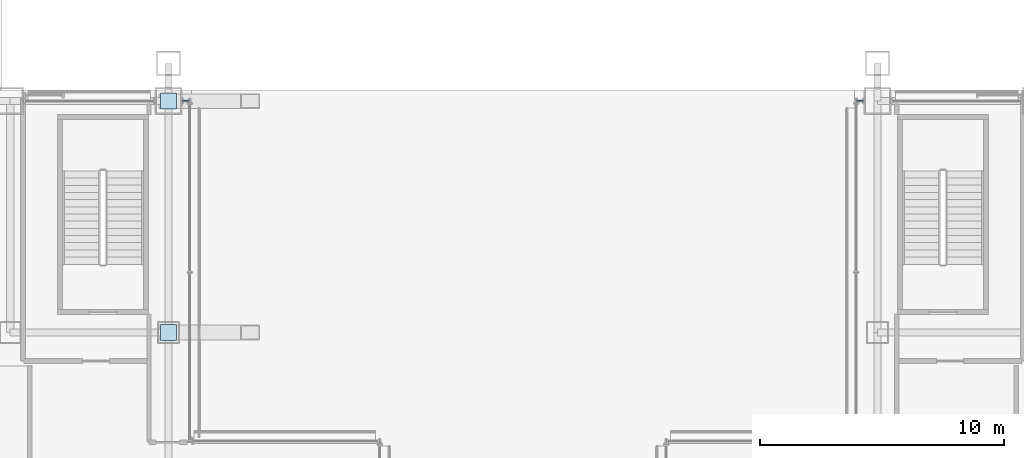
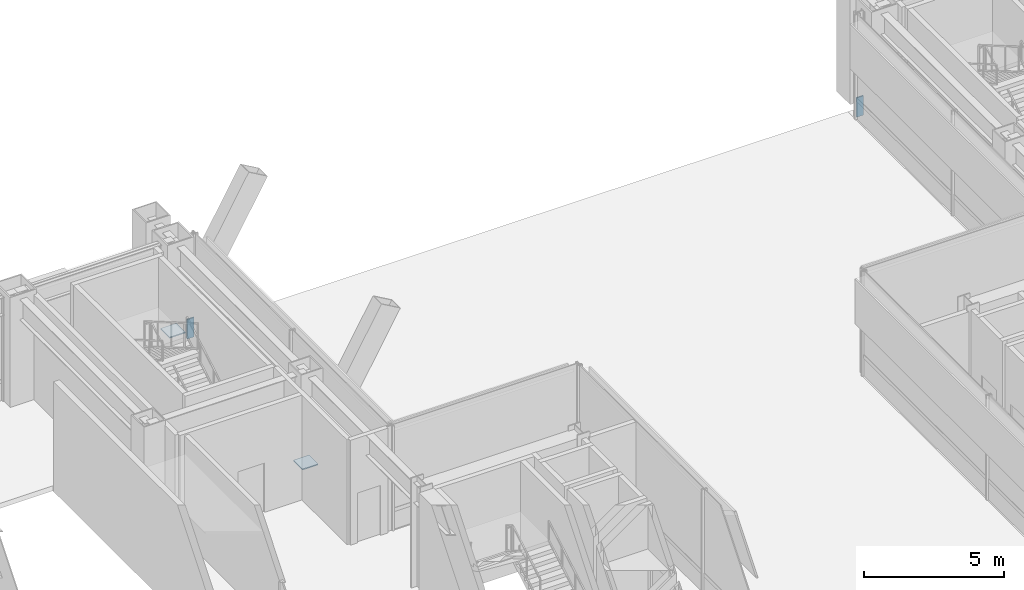
# One storey, part 29 of 37: 4 plates, 2 elements without a shape of their own.
"""IFC4 building model written with IfcOpenShell, lengths in metres."""

import ifcopenshell
import ifcopenshell.guid

model = None  # the IFC model being written
_history = None  # IfcOwnerHistory: only IFC2X3 demands one
_inside = {}  # id of a spatial element -> (the spatial element, [elements in it])
_under = {}  # id of a project, library or spatial element -> (it, [spatial elements below it])
_declared = {}  # id of a project -> (the project, [libraries it declares])
_typed = {}  # id of a type object -> (the type object, [elements of that type])
_made_of = {}  # id of a material, layer set ... -> (it, [elements and type objects made of it])


def new_model(schema):
    """Start an empty IFC model of exactly this schema.

    Asked for "IFC4X3", IfcOpenShell would pick the latest addendum, in which some entities
    have other attributes; the version numbers below select the first issue.
    IFC2X3 requires an IfcOwnerHistory on every rooted entity: one is made here for all.
    """
    global model, _history
    if schema == "IFC4X3":
        model = ifcopenshell.file(schema_version=(4, 3, 0, 0))
    else:
        model = ifcopenshell.file(schema=schema)
    _inside.clear()
    _under.clear()
    _declared.clear()
    _typed.clear()
    _made_of.clear()
    _history = None
    if model.schema == "IFC2X3":
        org = make("IfcOrganization", Name="unknown")
        user = make(
            "IfcPersonAndOrganization",
            ThePerson=make("IfcPerson", FamilyName="unknown"),
            TheOrganization=org,
        )
        app = make(
            "IfcApplication",
            ApplicationDeveloper=org,
            Version="unknown",
            ApplicationFullName="unknown",
            ApplicationIdentifier="unknown",
        )
        _history = make(
            "IfcOwnerHistory",
            OwningUser=user,
            OwningApplication=app,
            ChangeAction="ADDED",
            CreationDate=0,
        )
    return model


def make(cls, **values):
    """One entity of the class cls with the attributes given. An attribute that is None is left unset."""
    return model.create_entity(
        cls, **{name: value for name, value in values.items() if value is not None}
    )


def rooted(cls, **values):
    """An entity with a GlobalId (a new one), such as an element, a storey or a relation."""
    return make(cls, GlobalId=ifcopenshell.guid.new(), OwnerHistory=_history, **values)


def si_unit(unit_type, name, prefix=None):
    """IfcSIUnit, for example si_unit("LENGTHUNIT", "METRE", prefix="MILLI")."""
    return make("IfcSIUnit", UnitType=unit_type, Prefix=prefix, Name=name)


def assignment(units):
    """IfcUnitAssignment: the units of a project."""
    return None if units is None else make("IfcUnitAssignment", Units=units)


def point(xyz):
    """IfcCartesianPoint."""
    return None if xyz is None else make("IfcCartesianPoint", Coordinates=xyz)


def direction(xyz):
    """IfcDirection."""
    return None if xyz is None else make("IfcDirection", DirectionRatios=xyz)


def frame(location, z_axis=None, x_axis=None):
    """IfcAxis2Placement3D, a coordinate frame: its origin and axes. An axis left out is left unset."""
    return make(
        "IfcAxis2Placement3D",
        Location=point(location),
        Axis=direction(z_axis),
        RefDirection=direction(x_axis),
    )


def frame_2d(location, x_axis=None):
    """IfcAxis2Placement2D, a coordinate frame in the plane: its origin and x axis."""
    return make(
        "IfcAxis2Placement2D", Location=point(location), RefDirection=direction(x_axis)
    )


def origin():
    """The frame at (0, 0, 0) with its axes left unset."""
    return frame((0.0, 0.0, 0.0))


def origin_2d():
    """The frame at (0, 0) in the plane with its x axis left unset."""
    return frame_2d((0.0, 0.0))


def place(relative_to, where):
    """IfcLocalPlacement: puts the frame where relative to a parent placement (None: the world)."""
    return make(
        "IfcLocalPlacement", PlacementRelTo=relative_to, RelativePlacement=where
    )


def context(
    kind, dimensions, precision=None, world=None, true_north=None, identifier=None
):
    """IfcGeometricRepresentationContext, for example the 3D "Model" context."""
    return make(
        "IfcGeometricRepresentationContext",
        ContextIdentifier=identifier,
        ContextType=kind,
        CoordinateSpaceDimension=dimensions,
        Precision=precision,
        WorldCoordinateSystem=world,
        TrueNorth=true_north,
    )


def subcontext(parent, identifier, kind, view, scale=None):
    """IfcGeometricRepresentationSubContext, for example "Body" below "Model"."""
    return make(
        "IfcGeometricRepresentationSubContext",
        ContextIdentifier=identifier,
        ContextType=kind,
        ParentContext=parent,
        TargetScale=scale,
        TargetView=view,
    )


def project(units=None, contexts=None):
    """IfcProject with its units and contexts."""
    return rooted(
        "IfcProject",
        Name="project",
        RepresentationContexts=contexts,
        UnitsInContext=assignment(units),
    )


def spatial(cls, under=None, at=None, **own):
    """A site, building, storey or space (cls), placed at a placement, below another one or the project."""
    s = rooted(cls, ObjectPlacement=at, **own)
    if under is not None:
        _under.setdefault(under.id(), (under, []))[1].append(s)
    return s


def profile(cls, at=None, kind="AREA", **sizes):
    """A parametric profile (cls). Its sizes go by their IFC names, for example OverallWidth=200.0."""
    return make(cls, ProfileType=kind, Position=at, **sizes)


def rectangle(**sizes):
    """IfcRectangleProfileDef."""
    return profile("IfcRectangleProfileDef", **sizes)


def extrude(swept, where, along, depth):
    """IfcExtrudedAreaSolid: the profile swept, set in the frame where, extruded along a direction by depth."""
    return make(
        "IfcExtrudedAreaSolid",
        SweptArea=swept,
        Position=where,
        ExtrudedDirection=direction(along),
        Depth=depth,
    )


def shape(context_of_items, identifier, shape_type, items):
    """IfcShapeRepresentation: the items that make up one representation, for example the "Body"."""
    return make(
        "IfcShapeRepresentation",
        ContextOfItems=context_of_items,
        RepresentationIdentifier=identifier,
        RepresentationType=shape_type,
        Items=items,
    )


def material(Name=None, Category=None):
    """IfcMaterial."""
    return make("IfcMaterial", Name=Name, Category=Category)


def layer(
    of_material, thickness, ventilated=None, Name=None, Category=None, Priority=None
):
    """IfcMaterialLayer: one layer of a wall or slab, of a material (None: an air gap)."""
    return make(
        "IfcMaterialLayer",
        Material=of_material,
        LayerThickness=thickness,
        IsVentilated=ventilated,
        Name=Name,
        Category=Category,
        Priority=Priority,
    )


def layer_set(layers, Name=None):
    """IfcMaterialLayerSet."""
    return make("IfcMaterialLayerSet", MaterialLayers=layers, LayerSetName=Name)


def made_of(thing, what):
    """Note that an element or type object is made of a material, layer set ...; save() writes the relation."""
    if what is not None:
        _made_of.setdefault(what.id(), (what, []))[1].append(thing)
    return thing


def type_object(cls, material=None, **own):
    """A type object (cls), such as IfcWallType, which elements share."""
    return made_of(rooted(cls, **own), material)


def element(
    cls,
    number,
    at=None,
    inside=None,
    cuts=None,
    type_object=None,
    material=None,
    context=None,
    identifier="Body",
    shape_type=None,
    held_by="IfcProductDefinitionShape",
    body=None,
    shapes=None,
    **own,
):
    """One element of the class cls, such as IfcWall. Its Tag is "e" and its number.

    at: its placement. inside: the storey or other place that contains it. cuts: it is an
    opening in that element (IfcRelVoidsElement). A single representation is given by context,
    identifier, shape_type and body (its items); several are given by shapes. held_by: the class
    of the entity that holds the representations. save() writes the other relations.
    """
    e = rooted(cls, Tag="e%d" % number, ObjectPlacement=at, **own)
    if body is not None:
        shapes = [shape(context, identifier, shape_type, body)]
    if shapes is not None:
        e.Representation = make(held_by, Representations=shapes)
    if inside is not None:
        _inside.setdefault(inside.id(), (inside, []))[1].append(e)
    if cuts is not None:
        rooted(
            "IfcRelVoidsElement", RelatingBuildingElement=cuts, RelatedOpeningElement=e
        )
    if type_object is not None:
        _typed.setdefault(type_object.id(), (type_object, []))[1].append(e)
    return made_of(e, material)


def aggregate(whole, parts):
    """IfcRelAggregates: a whole, such as a stair, and the parts it consists of."""
    return rooted("IfcRelAggregates", RelatingObject=whole, RelatedObjects=parts)


def save(model, path):
    """Write the relations noted so far, then the file.

    IfcRelAggregates (storeys below a building ...), IfcRelContainedInSpatialStructure (elements
    in a storey), IfcRelDefinesByType, IfcRelAssociatesMaterial and IfcRelDeclares: one each for
    every whole, place, type object, material and project.
    """
    for whole, parts in _under.values():
        aggregate(whole, parts)
    for where, things in _inside.values():
        rooted(
            "IfcRelContainedInSpatialStructure",
            RelatedElements=things,
            RelatingStructure=where,
        )
    for kind, things in _typed.values():
        rooted("IfcRelDefinesByType", RelatedObjects=things, RelatingType=kind)
    for what, things in _made_of.values():
        rooted("IfcRelAssociatesMaterial", RelatedObjects=things, RelatingMaterial=what)
    for by, libraries in _declared.values():
        rooted("IfcRelDeclares", RelatingContext=by, RelatedDefinitions=libraries)
    model.write(path)


model = new_model("IFC4")

# Units and contexts
model_context = context("Model", 3, precision=1e-05, world=origin(), true_north=direction((0.0, 1.0)))
body_context = subcontext(model_context, "Body", "Model", "MODEL_VIEW")
ifc_project = project(units=[si_unit("LENGTHUNIT", "METRE"), si_unit("AREAUNIT", "SQUARE_METRE"), si_unit("VOLUMEUNIT", "CUBIC_METRE"), si_unit("PLANEANGLEUNIT", "RADIAN"), si_unit("MASSUNIT", "GRAM", prefix="KILO")], contexts=[model_context])

# Site, building, storey
site_placement = place(None, origin())
site = spatial("IfcSite", under=ifc_project, at=site_placement, CompositionType="ELEMENT")
building_placement = place(site_placement, origin())
building = spatial("IfcBuilding", under=site, at=building_placement, Name="Brelmoor Portico Tower", CompositionType="ELEMENT")
storey_placement = place(building_placement, origin())
storey = spatial("IfcBuildingStorey", under=building, at=storey_placement, Name="L00", CompositionType="ELEMENT", Elevation=0.0)

# Plates
ifc_material_1 = material(Name="Steel Q355B", Category="steel")
ifc_layer_1 = layer(ifc_material_1, 0.044921875)
ifc_layer_set_1 = layer_set([ifc_layer_1], Name="Steel Q355B")
plate_type_1 = type_object("IfcPlateType", Name="PT-CAP-650", PredefinedType="SHEET", material=ifc_layer_set_1)
for number, where, z_axis, x_axis, name in (
    (1, (-14.550048828125, 18.050048828125, 0.527587890625), (0.0, 0.0, 1.0), (1.0, 0.0, 0.0), "Giant Portico Arch Rib N2-1 Joint Cap Plate 1"),
    (2, (-14.550048828125, 27.550048828125, 0.527587890625), (0.0, 0.0, 1.0), (1.0, 0.0, 0.0), "Giant Portico Arch Rib N1-1 Joint Cap Plate 1"),
):
    element("IfcPlate", number, at=place(storey_placement, frame(where, z_axis=z_axis, x_axis=x_axis)), inside=storey, type_object=plate_type_1, Name=name, PredefinedType="SHEET", context=body_context, shape_type="SweptSolid", body=[
        extrude(rectangle(XDim=0.64990234375, YDim=0.64990234375, at=origin_2d()), origin(), (0.0, 0.0, 1.0), 0.044921875),
    ])

# Curtain wall, plate
ifc_material_2 = material(Name="Anodised Aluminium Alloy 6063-T6", Category="aluminium")
ifc_layer_2 = layer(ifc_material_2, 0.179931640625)
ifc_layer_set_2 = layer_set([ifc_layer_2], Name="Anodised Aluminium Alloy 6063-T6")
curtain_wall_type = type_object("IfcCurtainWallType", Name="CW-PODIUM-ARCH", PredefinedType="NOTDEFINED", material=ifc_layer_set_2)
curtain_wall_1_placement = place(storey_placement, origin())
curtain_wall_1 = element("IfcCurtainWall", 3, at=curtain_wall_1_placement, inside=storey, type_object=curtain_wall_type, Name="L00 Curtain Wall CW-L00-03-3", PredefinedType="NOTDEFINED")
ifc_material_3 = material(Name="Pale Champagne Anodised Aluminium Panel", Category="aluminium")
ifc_layer_3 = layer(ifc_material_3, 0.050048828125)
ifc_layer_set_3 = layer_set([ifc_layer_3], Name="Pale Champagne Anodised Aluminium Panel")
plate_type_2 = type_object("IfcPlateType", Name="PT-CW-SPANDREL", PredefinedType="SHEET", material=ifc_layer_set_3)
plate_1_placement = place(storey_placement, frame((-13.8349609375, 27.550048828125, 0.0), z_axis=(0.0, 0.0, 1.0), x_axis=(1.0, 0.0, 0.0)))
plate_1 = element("IfcPlate", 4, at=plate_1_placement, type_object=plate_type_2, Name="CW-L00-03-3 Spandrel Panel 00", PredefinedType="SHEET", context=body_context, shape_type="SweptSolid", body=[
    extrude(rectangle(XDim=0.280029296875, YDim=0.050048828125, at=origin_2d()), origin(), (0.0, 0.0, 1.0), 0.85009765625),
])
aggregate(curtain_wall_1, [plate_1])

curtain_wall_2_placement = place(storey_placement, origin())
curtain_wall_2 = element("IfcCurtainWall", 5, at=curtain_wall_2_placement, inside=storey, type_object=curtain_wall_type, Name="L00 Curtain Wall CW-L00-04-1", PredefinedType="NOTDEFINED")
plate_2_placement = place(storey_placement, frame((13.8349609375, 27.550048828125, 0.0), z_axis=(0.0, 0.0, 1.0), x_axis=(1.0, 0.0, 0.0)))
plate_2 = element("IfcPlate", 6, at=plate_2_placement, type_object=plate_type_2, Name="CW-L00-04-1 Spandrel Panel 00", PredefinedType="SHEET", context=body_context, shape_type="SweptSolid", body=[
    extrude(rectangle(XDim=0.280029296875, YDim=0.050048828125, at=origin_2d()), origin(), (0.0, 0.0, 1.0), 0.85009765625),
])
aggregate(curtain_wall_2, [plate_2])

save(model, "model.ifc")
